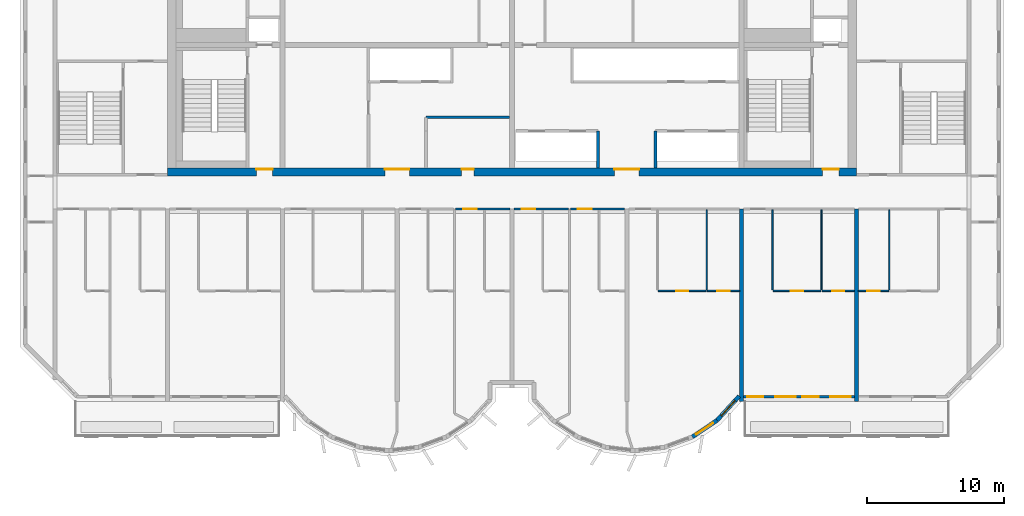
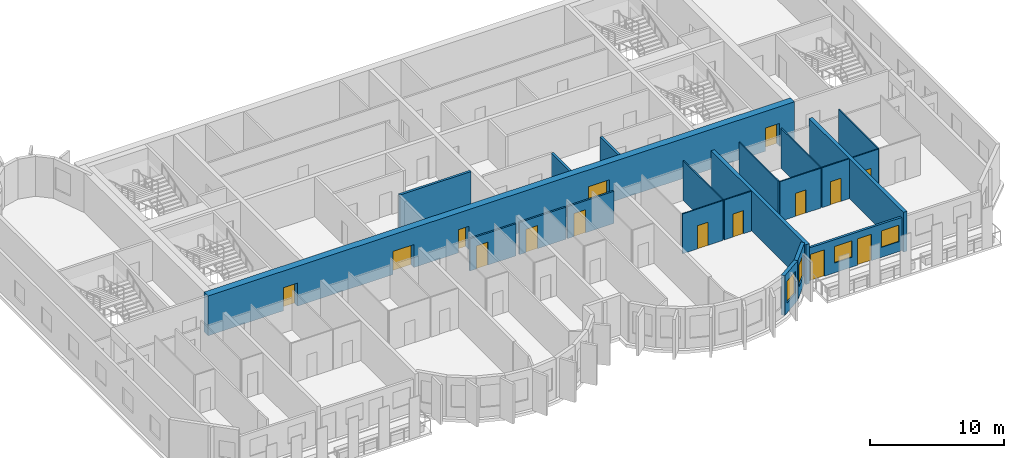
# One storey, part 5 of 11: 21 walls, 15 doors, 4 windows, 19 openings.
"""IFC4 building model written with IfcOpenShell, lengths in metres."""

from ifc_helpers import new_model, si_unit, direction, frame, frame_2d, origin, place, context, subcontext, project, spatial, rectangle, extrude, source, transform, mapped, material, layer, layer_set, type_object, element, fill, save


model = new_model("IFC4")

# Units and contexts
model_context = context("Model", 3, precision=1e-05, world=origin(), true_north=direction((0.0, 1.0)))
body_context = subcontext(model_context, "Body", "Model", "MODEL_VIEW")
ifc_project = project(units=[si_unit("LENGTHUNIT", "METRE"), si_unit("AREAUNIT", "SQUARE_METRE"), si_unit("VOLUMEUNIT", "CUBIC_METRE"), si_unit("PLANEANGLEUNIT", "RADIAN"), si_unit("MASSUNIT", "GRAM", prefix="KILO")], contexts=[model_context])

# Site, building, storey
site_placement = place(None, origin())
site = spatial("IfcSite", under=ifc_project, at=site_placement, CompositionType="ELEMENT")
building_placement = place(site_placement, origin())
building = spatial("IfcBuilding", under=site, at=building_placement, Name="Vanashikhar Sky Hotel", CompositionType="ELEMENT")
storey_placement = place(building_placement, frame((0.0, 0.0, 256.89990234375)))
storey = spatial("IfcBuildingStorey", under=building, at=storey_placement, Name="L62", CompositionType="ELEMENT", Elevation=256.89990234375)

# Wall, openings, doors
ifc_material_1 = material(Name="Concrete M60", Category="concrete")
ifc_layer_1 = layer(ifc_material_1, 0.60009765625)
ifc_layer_set_1 = layer_set([ifc_layer_1], Name="RC core shell wall 600 Concrete M60")
wall_type_1 = type_object("IfcWallType", Name="RC core shell wall 600 Concrete M60", PredefinedType="SHEAR", material=ifc_layer_set_1)
shared_shape_1 = source(origin(), body_context, "Body", "SweptSolid", [
    extrude(rectangle(XDim=50.400146484375, YDim=0.60009765625, at=frame_2d((25.2001953125, 0.0))), origin(), (0.0, 0.0, 1.0), 3.6201171875),
])
wall_1_placement = place(storey_placement, frame((25.199951171875, 22.300048828125, 0.0), z_axis=(0.0, 0.0, 1.0), x_axis=(1.0, 0.0, 0.0)))
wall_1 = element("IfcWall", 1, at=wall_1_placement, inside=storey, type_object=wall_type_1, Name="KW-L62-KS", PredefinedType="SHEAR", context=body_context, shape_type="MappedRepresentation", body=[
    mapped(shared_shape_1, transform((0.0, 0.0, 0.0), scale=1.0)),
])
shared_shape_2 = source(origin(), body_context, "Body", "SweptSolid", [
    extrude(rectangle(XDim=1.800048828125, YDim=2.10009765625, at=frame_2d((0.89990234375, 1.050048828125))), frame((0.0, 0.31005859375, 0.0), z_axis=(0.0, -1.0, 0.0), x_axis=(1.0, 0.0, 0.0)), (0.0, 0.0, 1.0), 0.6201171875),
])
opening_1_placement = place(wall_1_placement, frame((15.89990234375, 0.0, 0.0)))
opening_1 = element("IfcOpeningElement", 2, at=opening_1_placement, cuts=wall_1, Name="Opening DC-3-A", PredefinedType="OPENING", context=body_context, shape_type="MappedRepresentation", body=[
    mapped(shared_shape_2, transform((0.0, 0.0, 0.0), scale=1.0)),
])
shared_shape_3 = source(origin(), body_context, "Body", "SweptSolid", [
    extrude(rectangle(XDim=0.89990234375, YDim=2.10009765625, at=frame_2d((0.449951171875, 1.050048828125))), frame((0.0, 0.31005859375, 0.0), z_axis=(0.0, -1.0, 0.0), x_axis=(1.0, 0.0, 0.0)), (0.0, 0.0, 1.0), 0.6201171875),
])
opening_2_placement = place(wall_1_placement, frame((21.512939453125, 0.0, 0.0)))
opening_2 = element("IfcOpeningElement", 3, at=opening_2_placement, cuts=wall_1, Name="Opening DC-4-A", PredefinedType="OPENING", context=body_context, shape_type="MappedRepresentation", body=[
    mapped(shared_shape_3, transform((0.0, 0.0, 0.0), scale=1.0)),
])
opening_3_placement = place(wall_1_placement, frame((32.699951171875, 0.0, 0.0)))
opening_3 = element("IfcOpeningElement", 4, at=opening_3_placement, cuts=wall_1, Name="Opening DC-3-A", PredefinedType="OPENING", context=body_context, shape_type="MappedRepresentation", body=[
    mapped(shared_shape_2, transform((0.0, 0.0, 0.0), scale=1.0)),
])
shared_shape_4 = source(origin(), body_context, "Body", "SweptSolid", [
    extrude(rectangle(XDim=1.199951171875, YDim=2.10009765625, at=frame_2d((0.60009765625, 1.050048828125))), frame((0.0, 0.31005859375, 0.0), z_axis=(0.0, -1.0, 0.0), x_axis=(1.0, 0.0, 0.0)), (0.0, 0.0, 1.0), 0.6201171875),
])
opening_4_placement = place(wall_1_placement, frame((6.488037109375, 0.0, 0.0)))
opening_4 = element("IfcOpeningElement", 5, at=opening_4_placement, cuts=wall_1, Name="Opening DC-2", PredefinedType="OPENING", context=body_context, shape_type="MappedRepresentation", body=[
    mapped(shared_shape_4, transform((0.0, 0.0, 0.0), scale=1.0)),
])
opening_5_placement = place(wall_1_placement, frame((47.925048828125, 0.0, 0.0)))
opening_5 = element("IfcOpeningElement", 6, at=opening_5_placement, cuts=wall_1, Name="Opening DC-2", PredefinedType="OPENING", context=body_context, shape_type="MappedRepresentation", body=[
    mapped(shared_shape_4, transform((0.0, 0.0, 0.0), scale=1.0)),
])
ifc_material_2 = material(Name="Steel", Category="steel")
door_type_1 = type_object("IfcDoorType", Name="Firefighting lobby door 1200 FD120", OperationType="NOTDEFINED", PredefinedType="DOOR", material=ifc_material_2)
shared_shape_5 = source(origin(), body_context, "Body", "SweptSolid", [
    extrude(rectangle(XDim=1.199951171875, YDim=2.10009765625, at=frame_2d((0.60009765625, 1.050048828125))), frame((0.0, 0.22509765625, 0.0), z_axis=(0.0, -1.0, 0.0), x_axis=(1.0, 0.0, 0.0)), (0.0, 0.0, 1.0), 0.050048828125),
])
door_1_placement = place(opening_4_placement, origin())
door_1 = element("IfcDoor", 7, at=door_1_placement, inside=storey, type_object=door_type_1, Name="Firefighting lobby door 1200 FD120", OperationType="SINGLE_SWING_RIGHT", OverallHeight=2.10009765625, OverallWidth=1.199951171875, PredefinedType="DOOR", context=body_context, shape_type="MappedRepresentation", body=[
    mapped(shared_shape_5, transform((0.0, 0.0, 0.0), scale=1.0)),
])
fill(opening_4, door_1)
door_2_placement = place(opening_5_placement, origin())
door_2 = element("IfcDoor", 8, at=door_2_placement, inside=storey, type_object=door_type_1, Name="Firefighting lobby door 1200 FD120", OperationType="SINGLE_SWING_RIGHT", OverallHeight=2.10009765625, OverallWidth=1.199951171875, PredefinedType="DOOR", context=body_context, shape_type="MappedRepresentation", body=[
    mapped(shared_shape_5, transform((0.0, 0.0, 0.0), scale=1.0)),
])
fill(opening_5, door_2)
door_type_2 = type_object("IfcDoorType", Name="Service door 900 FD60", OperationType="NOTDEFINED", PredefinedType="DOOR", material=ifc_material_2)
shared_shape_6 = source(origin(), body_context, "Body", "SweptSolid", [
    extrude(rectangle(XDim=0.89990234375, YDim=2.10009765625, at=frame_2d((0.449951171875, 1.050048828125))), frame((0.0, 0.22509765625, 0.0), z_axis=(0.0, -1.0, 0.0), x_axis=(1.0, 0.0, 0.0)), (0.0, 0.0, 1.0), 0.050048828125),
])
door_3_placement = place(opening_2_placement, origin())
door_3 = element("IfcDoor", 9, at=door_3_placement, inside=storey, type_object=door_type_2, Name="Service door 900 FD60", OperationType="SINGLE_SWING_RIGHT", OverallHeight=2.10009765625, OverallWidth=0.89990234375, PredefinedType="DOOR", context=body_context, shape_type="MappedRepresentation", body=[
    mapped(shared_shape_6, transform((0.0, 0.0, 0.0), scale=1.0)),
])
fill(opening_2, door_3)
ifc_material_3 = material(Name="Glass", Category="glass")
door_type_3 = type_object("IfcDoorType", Name="Lift lobby entrance door 1800 FD30S", OperationType="NOTDEFINED", PredefinedType="DOOR", material=ifc_material_3)
shared_shape_7 = source(origin(), body_context, "Body", "SweptSolid", [
    extrude(rectangle(XDim=1.800048828125, YDim=2.10009765625, at=frame_2d((0.89990234375, 1.050048828125))), frame((0.0, 0.22509765625, 0.0), z_axis=(0.0, -1.0, 0.0), x_axis=(1.0, 0.0, 0.0)), (0.0, 0.0, 1.0), 0.050048828125),
])
door_4_placement = place(opening_1_placement, origin())
door_4 = element("IfcDoor", 10, at=door_4_placement, inside=storey, type_object=door_type_3, Name="Lift lobby entrance door 1800 FD30S", OperationType="DOUBLE_DOOR_SINGLE_SWING", OverallHeight=2.10009765625, OverallWidth=1.800048828125, PredefinedType="DOOR", context=body_context, shape_type="MappedRepresentation", body=[
    mapped(shared_shape_7, transform((0.0, 0.0, 0.0), scale=1.0)),
])
fill(opening_1, door_4)
door_5_placement = place(opening_3_placement, origin())
door_5 = element("IfcDoor", 11, at=door_5_placement, inside=storey, type_object=door_type_3, Name="Lift lobby entrance door 1800 FD30S", OperationType="DOUBLE_DOOR_SINGLE_SWING", OverallHeight=2.10009765625, OverallWidth=1.800048828125, PredefinedType="DOOR", context=body_context, shape_type="MappedRepresentation", body=[
    mapped(shared_shape_7, transform((0.0, 0.0, 0.0), scale=1.0)),
])
fill(opening_3, door_5)

# Walls
ifc_layer_2 = layer(ifc_material_1, 0.300048828125)
ifc_layer_set_2 = layer_set([ifc_layer_2], Name="RC shear wall 300 Concrete M60")
wall_type_2 = type_object("IfcWallType", Name="RC shear wall 300 Concrete M60", PredefinedType="SHEAR", material=ifc_layer_set_2)
shared_shape_8 = source(origin(), body_context, "Body", "SweptSolid", [
    extrude(rectangle(XDim=14.10009765625, YDim=0.300048828125, at=frame_2d((7.050048828125, 0.0))), origin(), (0.0, 0.0, 1.0), 3.6201171875),
])
for number, where, z_axis, x_axis, name in (
    (12, (67.199951171875, 5.5, 0.0), (0.0, 0.0, 1.0), (0.0, 1.0, 0.0), "CW-L62-XW09-1"),
    (13, (75.60009765625, 5.5, 0.0), (0.0, 0.0, 1.0), (0.0, 1.0, 0.0), "CW-L62-XW10-1"),
):
    element("IfcWall", number, at=place(storey_placement, frame(where, z_axis=z_axis, x_axis=x_axis)), inside=storey, type_object=wall_type_2, Name=name, PredefinedType="SHEAR", context=body_context, shape_type="MappedRepresentation", body=[
        mapped(shared_shape_8, transform((0.0, 0.0, 0.0), scale=1.0)),
    ])

# Wall, openings, windows, doors
ifc_material_4 = material(Name="Concrete M50", Category="concrete")
ifc_layer_3 = layer(ifc_material_4, 0.199951171875)
ifc_layer_set_3 = layer_set([ifc_layer_3], Name="Front window wall 200")
wall_type_3 = type_object("IfcWallType", Name="Front window wall 200", PredefinedType="SOLIDWALL", material=ifc_layer_set_3)
shared_shape_9 = source(origin(), body_context, "Body", "SweptSolid", [
    extrude(rectangle(XDim=8.099853515625, YDim=0.199951171875, at=frame_2d((4.0498046875, 0.0))), origin(), (0.0, 0.0, 1.0), 3.02001953125),
])
wall_2_placement = place(storey_placement, frame((67.35009765625, 5.85009765625, 0.0), z_axis=(0.0, 0.0, 1.0), x_axis=(1.0, 0.0, 0.0)))
wall_2 = element("IfcWall", 14, at=wall_2_placement, inside=storey, type_object=wall_type_3, Name="Front window wall", PredefinedType="SOLIDWALL", context=body_context, shape_type="MappedRepresentation", body=[
    mapped(shared_shape_9, transform((0.0, 0.0, 0.0), scale=1.0)),
])
shared_shape_10 = source(origin(), body_context, "Body", "SweptSolid", [
    extrude(rectangle(XDim=1.199951171875, YDim=2.39990234375, at=frame_2d((0.60009765625, 1.199951171875))), frame((0.0, 0.10986328125, 0.0), z_axis=(0.0, -1.0, 0.0), x_axis=(1.0, 0.0, 0.0)), (0.0, 0.0, 1.0), 0.219970703125),
])
opening_6_placement = place(wall_2_placement, frame((0.25, 0.0, 0.0)))
opening_6 = element("IfcOpeningElement", 15, at=opening_6_placement, cuts=wall_2, Name="Opening BD-03", PredefinedType="OPENING", context=body_context, shape_type="MappedRepresentation", body=[
    mapped(shared_shape_10, transform((0.0, 0.0, 0.0), scale=1.0)),
])
shared_shape_11 = source(origin(), body_context, "Body", "SweptSolid", [
    extrude(rectangle(XDim=1.5, YDim=1.5, at=frame_2d((0.75, 0.75))), frame((0.0, 0.10986328125, 0.0), z_axis=(0.0, -1.0, 0.0), x_axis=(1.0, 0.0, 0.0)), (0.0, 0.0, 1.0), 0.219970703125),
])
opening_7_placement = place(wall_2_placement, frame((2.300048828125, 0.0, 0.89990234375)))
opening_7 = element("IfcOpeningElement", 16, at=opening_7_placement, cuts=wall_2, Name="Opening WN-1", PredefinedType="OPENING", context=body_context, shape_type="MappedRepresentation", body=[
    mapped(shared_shape_11, transform((0.0, 0.0, 0.0), scale=1.0)),
])
opening_8_placement = place(wall_2_placement, frame((4.300048828125, 0.0, 0.0)))
opening_8 = element("IfcOpeningElement", 17, at=opening_8_placement, cuts=wall_2, Name="Opening BD-04", PredefinedType="OPENING", context=body_context, shape_type="MappedRepresentation", body=[
    mapped(shared_shape_10, transform((0.0, 0.0, 0.0), scale=1.0)),
])
opening_9_placement = place(wall_2_placement, frame((6.35009765625, 0.0, 0.89990234375)))
opening_9 = element("IfcOpeningElement", 18, at=opening_9_placement, cuts=wall_2, Name="Opening WN-1", PredefinedType="OPENING", context=body_context, shape_type="MappedRepresentation", body=[
    mapped(shared_shape_11, transform((0.0, 0.0, 0.0), scale=1.0)),
])
window_type_1 = type_object("IfcWindowType", Name="Window 1500 x 1500", PartitioningType="SINGLE_PANEL", PredefinedType="WINDOW", material=ifc_material_3)
shared_shape_12 = source(origin(), body_context, "Body", "SweptSolid", [
    extrude(rectangle(XDim=1.5, YDim=1.5, at=frame_2d((0.75, 0.75))), frame((0.0, 0.030029296875, 0.0), z_axis=(0.0, -1.0, 0.0), x_axis=(1.0, 0.0, 0.0)), (0.0, 0.0, 1.0), 0.06005859375),
])
window_1_placement = place(opening_7_placement, origin())
window_1 = element("IfcWindow", 19, at=window_1_placement, inside=storey, type_object=window_type_1, Name="Window WN-1", OverallHeight=1.5, OverallWidth=1.5, PartitioningType="SINGLE_PANEL", PredefinedType="WINDOW", context=body_context, shape_type="MappedRepresentation", body=[
    mapped(shared_shape_12, transform((0.0, 0.0, 0.0), scale=1.0)),
])
fill(opening_7, window_1)
window_2_placement = place(opening_9_placement, origin())
window_2 = element("IfcWindow", 20, at=window_2_placement, inside=storey, type_object=window_type_1, Name="Window WN-1", OverallHeight=1.5, OverallWidth=1.5, PartitioningType="SINGLE_PANEL", PredefinedType="WINDOW", context=body_context, shape_type="MappedRepresentation", body=[
    mapped(shared_shape_12, transform((0.0, 0.0, 0.0), scale=1.0)),
])
fill(opening_9, window_2)
ifc_material_5 = material(Name="Aluminium", Category="aluminium")
door_type_4 = type_object("IfcDoorType", Name="Balcony sliding door 1200 x 2400", OperationType="NOTDEFINED", PredefinedType="DOOR", material=ifc_material_5)
shared_shape_13 = source(origin(), body_context, "Body", "SweptSolid", [
    extrude(rectangle(XDim=1.199951171875, YDim=2.39990234375, at=frame_2d((0.60009765625, 1.199951171875))), frame((0.0, 0.02490234375, 0.0), z_axis=(0.0, -1.0, 0.0), x_axis=(1.0, 0.0, 0.0)), (0.0, 0.0, 1.0), 0.050048828125),
])
door_6_placement = place(opening_6_placement, origin())
door_6 = element("IfcDoor", 21, at=door_6_placement, inside=storey, type_object=door_type_4, Name="Balcony sliding door", OperationType="SLIDING_TO_LEFT", OverallHeight=2.39990234375, OverallWidth=1.199951171875, PredefinedType="DOOR", context=body_context, shape_type="MappedRepresentation", body=[
    mapped(shared_shape_13, transform((0.0, 0.0, 0.0), scale=1.0)),
])
fill(opening_6, door_6)
door_7_placement = place(opening_8_placement, origin())
door_7 = element("IfcDoor", 22, at=door_7_placement, inside=storey, type_object=door_type_4, Name="Balcony sliding door", OperationType="SLIDING_TO_RIGHT", OverallHeight=2.39990234375, OverallWidth=1.199951171875, PredefinedType="DOOR", context=body_context, shape_type="MappedRepresentation", body=[
    mapped(shared_shape_13, transform((0.0, 0.0, 0.0), scale=1.0)),
])
fill(opening_8, door_7)

# Wall, opening, window
ifc_layer_4 = layer(ifc_material_4, 0.300048828125)
ifc_layer_set_4 = layer_set([ifc_layer_4], Name="Lobe wall 300")
wall_type_4 = type_object("IfcWallType", Name="Lobe wall 300", PredefinedType="SOLIDWALL", material=ifc_layer_set_4)
shared_shape_14 = source(origin(), body_context, "Body", "SweptSolid", [
    extrude(rectangle(XDim=2.398193359375, YDim=0.300048828125, at=frame_2d((1.19921875, 0.0))), origin(), (0.0, 0.0, 1.0), 3.6201171875),
])
wall_3_placement = place(storey_placement, frame((65.404296875, 4.13134765625, 0.0), z_axis=(0.0, 0.0, 1.0), x_axis=(0.675374189419, 0.737475222815, 0.0)))
wall_3 = element("IfcWall", 23, at=wall_3_placement, inside=storey, type_object=wall_type_4, Name="Lobe wall", PredefinedType="SOLIDWALL", context=body_context, shape_type="MappedRepresentation", body=[
    mapped(shared_shape_14, transform((0.0, 0.0, 0.0), scale=1.0)),
])
shared_shape_15 = source(origin(), body_context, "Body", "SweptSolid", [
    extrude(rectangle(XDim=1.5, YDim=2.0, at=frame_2d((0.75, 1.0))), frame((0.0, 0.16015625, 0.0), z_axis=(0.0, -1.0, 0.0), x_axis=(1.0, 0.0, 0.0)), (0.0, 0.0, 1.0), 0.320068359375),
])
opening_10_placement = place(wall_3_placement, frame((0.44921875, 0.0, 0.89990234375)))
opening_10 = element("IfcOpeningElement", 24, at=opening_10_placement, cuts=wall_3, Name="Opening WN-2", PredefinedType="OPENING", context=body_context, shape_type="MappedRepresentation", body=[
    mapped(shared_shape_15, transform((0.0, 0.0, 0.0), scale=1.0)),
])
window_type_2 = type_object("IfcWindowType", Name="Lobe window 1500 x 2000", PartitioningType="SINGLE_PANEL", PredefinedType="WINDOW", material=ifc_material_3)
shared_shape_16 = source(origin(), body_context, "Body", "SweptSolid", [
    extrude(rectangle(XDim=1.5, YDim=2.0, at=frame_2d((0.75, 1.0))), frame((0.0, 0.030029296875, 0.0), z_axis=(0.0, -1.0, 0.0), x_axis=(1.0, 0.0, 0.0)), (0.0, 0.0, 1.0), 0.06005859375),
])
window_3_placement = place(opening_10_placement, origin())
window_3 = element("IfcWindow", 25, at=window_3_placement, inside=storey, type_object=window_type_2, Name="Window WN-2", OverallHeight=2.0, OverallWidth=1.5, PartitioningType="SINGLE_PANEL", PredefinedType="WINDOW", context=body_context, shape_type="MappedRepresentation", body=[
    mapped(shared_shape_16, transform((0.0, 0.0, 0.0), scale=1.0)),
])
fill(opening_10, window_3)

shared_shape_17 = source(origin(), body_context, "Body", "SweptSolid", [
    extrude(rectangle(XDim=2.17578125, YDim=0.300048828125, at=frame_2d((1.087890625, 0.0))), origin(), (0.0, 0.0, 1.0), 3.6201171875),
])
wall_4_placement = place(storey_placement, frame((63.59912109375, 2.91650390625, 0.0), z_axis=(0.0, 0.0, 1.0), x_axis=(0.829625727223, 0.558319937607, 0.0)))
wall_4 = element("IfcWall", 26, at=wall_4_placement, inside=storey, type_object=wall_type_4, Name="Lobe wall", PredefinedType="SOLIDWALL", context=body_context, shape_type="MappedRepresentation", body=[
    mapped(shared_shape_17, transform((0.0, 0.0, 0.0), scale=1.0)),
])
opening_11_placement = place(wall_4_placement, frame((0.337890625, 0.0, 0.89990234375)))
opening_11 = element("IfcOpeningElement", 27, at=opening_11_placement, cuts=wall_4, Name="Opening WN-2", PredefinedType="OPENING", context=body_context, shape_type="MappedRepresentation", body=[
    mapped(shared_shape_15, transform((0.0, 0.0, 0.0), scale=1.0)),
])
window_4_placement = place(opening_11_placement, origin())
window_4 = element("IfcWindow", 28, at=window_4_placement, inside=storey, type_object=window_type_2, Name="Window WN-2", OverallHeight=2.0, OverallWidth=1.5, PartitioningType="SINGLE_PANEL", PredefinedType="WINDOW", context=body_context, shape_type="MappedRepresentation", body=[
    mapped(shared_shape_16, transform((0.0, 0.0, 0.0), scale=1.0)),
])
fill(opening_11, window_4)

# Walls
ifc_material_6 = material(Name="Concrete M40", Category="concrete")
ifc_layer_5 = layer(ifc_material_6, 0.199951171875)
ifc_layer_set_5 = layer_set([ifc_layer_5], Name="Shaft wall 200")
wall_type_5 = type_object("IfcWallType", Name="Shaft wall 200", PredefinedType="SOLIDWALL", material=ifc_layer_set_5)
shared_shape_18 = source(origin(), body_context, "Body", "SweptSolid", [
    extrude(rectangle(XDim=2.699951171875, YDim=0.199951171875, at=frame_2d((1.35009765625, 0.0))), origin(), (0.0, 0.0, 1.0), 3.6201171875),
])
for number, where, z_axis, x_axis, name in (
    (29, (60.89990234375, 22.60009765625, 0.0), (0.0, 0.0, 1.0), (0.0, 1.0, 0.0), "Shaft wall 200"),
    (30, (56.699951171875, 22.60009765625, 0.0), (0.0, 0.0, 1.0), (0.0, 1.0, 0.0), "Shaft wall 200"),
):
    element("IfcWall", number, at=place(storey_placement, frame(where, z_axis=z_axis, x_axis=x_axis)), inside=storey, type_object=wall_type_5, Name=name, PredefinedType="SOLIDWALL", context=body_context, shape_type="MappedRepresentation", body=[
        mapped(shared_shape_18, transform((0.0, 0.0, 0.0), scale=1.0)),
    ])
ifc_material_7 = material(Name="Gypsum board partition")
ifc_layer_6 = layer(ifc_material_7, 0.14990234375)
ifc_layer_set_6 = layer_set([ifc_layer_6], Name="Service partition 150")
wall_type_6 = type_object("IfcWallType", Name="Service partition 150", PredefinedType="PARTITIONING", material=ifc_layer_set_6)
shared_shape_19 = source(origin(), body_context, "Body", "SweptSolid", [
    extrude(rectangle(XDim=6.125, YDim=0.199951171875, at=frame_2d((3.0625, 0.0))), origin(), (0.0, 0.0, 1.0), 3.6201171875),
])
wall_5_placement = place(storey_placement, frame((44.10009765625, 26.300048828125, 0.0), z_axis=(0.0, 0.0, 1.0), x_axis=(1.0, 0.0, 0.0)))
element("IfcWall", 31, at=wall_5_placement, inside=storey, type_object=wall_type_6, Name="Service partition 150", PredefinedType="PARTITIONING", context=body_context, shape_type="MappedRepresentation", body=[
    mapped(shared_shape_19, transform((0.0, 0.0, 0.0), scale=1.0)),
])

# Wall, opening, door
ifc_material_8 = material(Name="Gypsum plasterboard partition")
ifc_layer_7 = layer(ifc_material_8, 0.10009765625)
ifc_layer_set_7 = layer_set([ifc_layer_7], Name="Wet room partition 100")
wall_type_7 = type_object("IfcWallType", Name="Wet room partition 100", PredefinedType="PARTITIONING", material=ifc_layer_set_7)
shared_shape_20 = source(origin(), body_context, "Body", "SweptSolid", [
    extrude(rectangle(XDim=3.5, YDim=0.10009765625, at=frame_2d((1.75, 0.0))), origin(), (0.0, 0.0, 1.0), 3.6201171875),
])
wall_6_placement = place(storey_placement, frame((61.10009765625, 13.60009765625, 0.0), z_axis=(0.0, 0.0, 1.0), x_axis=(1.0, 0.0, 0.0)))
wall_6 = element("IfcWall", 32, at=wall_6_placement, inside=storey, type_object=wall_type_7, Name="W-L62-PW034", PredefinedType="PARTITIONING", context=body_context, shape_type="MappedRepresentation", body=[
    mapped(shared_shape_20, transform((0.0, 0.0, 0.0), scale=1.0)),
])
shared_shape_21 = source(origin(), body_context, "Body", "SweptSolid", [
    extrude(rectangle(XDim=0.89990234375, YDim=2.10009765625, at=frame_2d((0.449951171875, 1.050048828125))), frame((0.0, 0.06005859375, 0.0), z_axis=(0.0, -1.0, 0.0), x_axis=(1.0, 0.0, 0.0)), (0.0, 0.0, 1.0), 0.1201171875),
])
opening_12_placement = place(wall_6_placement, frame((1.300048828125, 0.0, 0.0)))
opening_12 = element("IfcOpeningElement", 33, at=opening_12_placement, cuts=wall_6, Name="Opening D-02", PredefinedType="OPENING", context=body_context, shape_type="MappedRepresentation", body=[
    mapped(shared_shape_21, transform((0.0, 0.0, 0.0), scale=1.0)),
])
ifc_material_9 = material(Name="Timber door", Category="wood")
door_type_5 = type_object("IfcDoorType", Name="Internal door 900", OperationType="NOTDEFINED", PredefinedType="DOOR", material=ifc_material_9)
shared_shape_22 = source(origin(), body_context, "Body", "SweptSolid", [
    extrude(rectangle(XDim=0.89990234375, YDim=2.10009765625, at=frame_2d((0.449951171875, 1.050048828125))), frame((0.0, 0.02490234375, 0.0), z_axis=(0.0, -1.0, 0.0), x_axis=(1.0, 0.0, 0.0)), (0.0, 0.0, 1.0), 0.050048828125),
])
door_8_placement = place(opening_12_placement, origin())
door_8 = element("IfcDoor", 34, at=door_8_placement, inside=storey, type_object=door_type_5, Name="D-L62-019", OperationType="SINGLE_SWING_LEFT", OverallHeight=2.10009765625, OverallWidth=0.89990234375, PredefinedType="DOOR", context=body_context, shape_type="MappedRepresentation", body=[
    mapped(shared_shape_22, transform((0.0, 0.0, 0.0), scale=1.0)),
])
fill(opening_12, door_8)

wall_7_placement = place(storey_placement, frame((69.5, 13.60009765625, 0.0), z_axis=(0.0, 0.0, 1.0), x_axis=(1.0, 0.0, 0.0)))
wall_7 = element("IfcWall", 35, at=wall_7_placement, inside=storey, type_object=wall_type_7, Name="W-L62-PW039", PredefinedType="PARTITIONING", context=body_context, shape_type="MappedRepresentation", body=[
    mapped(shared_shape_20, transform((0.0, 0.0, 0.0), scale=1.0)),
])
opening_13_placement = place(wall_7_placement, frame((1.300048828125, 0.0, 0.0)))
opening_13 = element("IfcOpeningElement", 36, at=opening_13_placement, cuts=wall_7, Name="Opening D-02", PredefinedType="OPENING", context=body_context, shape_type="MappedRepresentation", body=[
    mapped(shared_shape_21, transform((0.0, 0.0, 0.0), scale=1.0)),
])
door_9_placement = place(opening_13_placement, origin())
door_9 = element("IfcDoor", 37, at=door_9_placement, inside=storey, type_object=door_type_5, Name="D-L62-022", OperationType="SINGLE_SWING_LEFT", OverallHeight=2.10009765625, OverallWidth=0.89990234375, PredefinedType="DOOR", context=body_context, shape_type="MappedRepresentation", body=[
    mapped(shared_shape_22, transform((0.0, 0.0, 0.0), scale=1.0)),
])
fill(opening_13, door_9)

ifc_layer_8 = layer(ifc_material_8, 0.14990234375)
ifc_layer_set_8 = layer_set([ifc_layer_8], Name="Corridor and demising partition 150")
wall_type_8 = type_object("IfcWallType", Name="Corridor and demising partition 150", PredefinedType="PARTITIONING", material=ifc_layer_set_8)
shared_shape_23 = source(origin(), body_context, "Body", "SweptSolid", [
    extrude(rectangle(XDim=3.97509765625, YDim=0.14990234375, at=frame_2d((1.987548828125, 0.0))), origin(), (0.0, 0.0, 1.0), 2.920166015625),
])
wall_8_placement = place(storey_placement, frame((46.27490234375, 19.60009765625, 0.0), z_axis=(0.0, 0.0, 1.0), x_axis=(1.0, 0.0, 0.0)))
wall_8 = element("IfcWall", 38, at=wall_8_placement, inside=storey, type_object=wall_type_8, Name="W-L62-PW023", PredefinedType="PARTITIONING", context=body_context, shape_type="MappedRepresentation", body=[
    mapped(shared_shape_23, transform((0.0, 0.0, 0.0), scale=1.0)),
])
shared_shape_24 = source(origin(), body_context, "Body", "SweptSolid", [
    extrude(rectangle(XDim=1.0, YDim=2.10009765625, at=frame_2d((0.5, 1.050048828125))), frame((0.0, 0.0849609375, 0.0), z_axis=(0.0, -1.0, 0.0), x_axis=(1.0, 0.0, 0.0)), (0.0, 0.0, 1.0), 0.169921875),
])
opening_14_placement = place(wall_8_placement, frame((0.550048828125, 0.0, 0.0)))
opening_14 = element("IfcOpeningElement", 39, at=opening_14_placement, cuts=wall_8, Name="Opening D-01", PredefinedType="OPENING", context=body_context, shape_type="MappedRepresentation", body=[
    mapped(shared_shape_24, transform((0.0, 0.0, 0.0), scale=1.0)),
])
ifc_material_10 = material(Name="Timber fire door", Category="wood")
door_type_6 = type_object("IfcDoorType", Name="Guest entry door 1000 FD30S", OperationType="NOTDEFINED", PredefinedType="DOOR", material=ifc_material_10)
shared_shape_25 = source(origin(), body_context, "Body", "SweptSolid", [
    extrude(rectangle(XDim=1.0, YDim=2.10009765625, at=frame_2d((0.5, 1.050048828125))), frame((0.0, 0.02490234375, 0.0), z_axis=(0.0, -1.0, 0.0), x_axis=(1.0, 0.0, 0.0)), (0.0, 0.0, 1.0), 0.050048828125),
])
door_10_placement = place(opening_14_placement, origin())
door_10 = element("IfcDoor", 40, at=door_10_placement, inside=storey, type_object=door_type_6, Name="D-L62-014", OperationType="SINGLE_SWING_LEFT", OverallHeight=2.10009765625, OverallWidth=1.0, PredefinedType="DOOR", context=body_context, shape_type="MappedRepresentation", body=[
    mapped(shared_shape_25, transform((0.0, 0.0, 0.0), scale=1.0)),
])
fill(opening_14, door_10)

shared_shape_26 = source(origin(), body_context, "Body", "SweptSolid", [
    extrude(rectangle(XDim=3.974853515625, YDim=0.14990234375, at=frame_2d((1.9873046875, 0.0))), origin(), (0.0, 0.0, 1.0), 2.920166015625),
])
wall_9_placement = place(storey_placement, frame((50.550048828125, 19.60009765625, 0.0), z_axis=(0.0, 0.0, 1.0), x_axis=(1.0, 0.0, 0.0)))
wall_9 = element("IfcWall", 41, at=wall_9_placement, inside=storey, type_object=wall_type_8, Name="W-L62-PW027", PredefinedType="PARTITIONING", context=body_context, shape_type="MappedRepresentation", body=[
    mapped(shared_shape_26, transform((0.0, 0.0, 0.0), scale=1.0)),
])
opening_15_placement = place(wall_9_placement, frame((0.550048828125, 0.0, 0.0)))
opening_15 = element("IfcOpeningElement", 42, at=opening_15_placement, cuts=wall_9, Name="Opening D-01", PredefinedType="OPENING", context=body_context, shape_type="MappedRepresentation", body=[
    mapped(shared_shape_24, transform((0.0, 0.0, 0.0), scale=1.0)),
])
door_11_placement = place(opening_15_placement, origin())
door_11 = element("IfcDoor", 43, at=door_11_placement, inside=storey, type_object=door_type_6, Name="D-L62-016", OperationType="SINGLE_SWING_LEFT", OverallHeight=2.10009765625, OverallWidth=1.0, PredefinedType="DOOR", context=body_context, shape_type="MappedRepresentation", body=[
    mapped(shared_shape_25, transform((0.0, 0.0, 0.0), scale=1.0)),
])
fill(opening_15, door_11)

wall_10_placement = place(storey_placement, frame((54.675048828125, 19.60009765625, 0.0), z_axis=(0.0, 0.0, 1.0), x_axis=(1.0, 0.0, 0.0)))
wall_10 = element("IfcWall", 44, at=wall_10_placement, inside=storey, type_object=wall_type_8, Name="W-L62-PW030", PredefinedType="PARTITIONING", context=body_context, shape_type="MappedRepresentation", body=[
    mapped(shared_shape_26, transform((0.0, 0.0, 0.0), scale=1.0)),
])
opening_16_placement = place(wall_10_placement, frame((0.550048828125, 0.0, 0.0)))
opening_16 = element("IfcOpeningElement", 45, at=opening_16_placement, cuts=wall_10, Name="Opening D-01", PredefinedType="OPENING", context=body_context, shape_type="MappedRepresentation", body=[
    mapped(shared_shape_24, transform((0.0, 0.0, 0.0), scale=1.0)),
])
door_12_placement = place(opening_16_placement, origin())
door_12 = element("IfcDoor", 46, at=door_12_placement, inside=storey, type_object=door_type_6, Name="D-L62-018", OperationType="SINGLE_SWING_LEFT", OverallHeight=2.10009765625, OverallWidth=1.0, PredefinedType="DOOR", context=body_context, shape_type="MappedRepresentation", body=[
    mapped(shared_shape_25, transform((0.0, 0.0, 0.0), scale=1.0)),
])
fill(opening_16, door_12)

# Walls
shared_shape_27 = source(origin(), body_context, "Body", "SweptSolid", [
    extrude(rectangle(XDim=5.849853515625, YDim=0.10009765625, at=frame_2d((2.9248046875, 0.0))), origin(), (0.0, 0.0, 1.0), 3.6201171875),
])
for number, where, z_axis, x_axis, name in (
    (47, (64.64990234375, 13.675048828125, 0.0), (0.0, 0.0, 1.0), (0.0, 1.0, 0.0), "W-L62-PW033"),
    (48, (69.449951171875, 13.675048828125, 0.0), (0.0, 0.0, 1.0), (0.0, 1.0, 0.0), "W-L62-PW037"),
    (49, (73.050048828125, 13.675048828125, 0.0), (0.0, 0.0, 1.0), (0.0, 1.0, 0.0), "W-L62-PW038"),
    (50, (78.0, 13.675048828125, 0.0), (0.0, 0.0, 1.0), (0.0, 1.0, 0.0), "W-L62-PW043"),
):
    element("IfcWall", number, at=place(storey_placement, frame(where, z_axis=z_axis, x_axis=x_axis)), inside=storey, type_object=wall_type_7, Name=name, PredefinedType="PARTITIONING", context=body_context, shape_type="MappedRepresentation", body=[
        mapped(shared_shape_27, transform((0.0, 0.0, 0.0), scale=1.0)),
    ])

# Wall, opening, door
shared_shape_28 = source(origin(), body_context, "Body", "SweptSolid", [
    extrude(rectangle(XDim=2.349853515625, YDim=0.10009765625, at=frame_2d((1.1748046875, 0.0))), origin(), (0.0, 0.0, 1.0), 3.6201171875),
])
wall_11_placement = place(storey_placement, frame((73.10009765625, 13.60009765625, 0.0), z_axis=(0.0, 0.0, 1.0), x_axis=(1.0, 0.0, 0.0)))
wall_11 = element("IfcWall", 51, at=wall_11_placement, inside=storey, type_object=wall_type_7, Name="W-L62-PW040", PredefinedType="PARTITIONING", context=body_context, shape_type="MappedRepresentation", body=[
    mapped(shared_shape_28, transform((0.0, 0.0, 0.0), scale=1.0)),
])
opening_17_placement = place(wall_11_placement, frame((0.72509765625, 0.0, 0.0)))
opening_17 = element("IfcOpeningElement", 52, at=opening_17_placement, cuts=wall_11, Name="Opening D-02", PredefinedType="OPENING", context=body_context, shape_type="MappedRepresentation", body=[
    mapped(shared_shape_21, transform((0.0, 0.0, 0.0), scale=1.0)),
])
door_13_placement = place(opening_17_placement, origin())
door_13 = element("IfcDoor", 53, at=door_13_placement, inside=storey, type_object=door_type_5, Name="D-L62-023", OperationType="SINGLE_SWING_LEFT", OverallHeight=2.10009765625, OverallWidth=0.89990234375, PredefinedType="DOOR", context=body_context, shape_type="MappedRepresentation", body=[
    mapped(shared_shape_22, transform((0.0, 0.0, 0.0), scale=1.0)),
])
fill(opening_17, door_13)

shared_shape_29 = source(origin(), body_context, "Body", "SweptSolid", [
    extrude(rectangle(XDim=2.35009765625, YDim=0.10009765625, at=frame_2d((1.175048828125, 0.0))), origin(), (0.0, 0.0, 1.0), 3.6201171875),
])
wall_12_placement = place(storey_placement, frame((64.699951171875, 13.60009765625, 0.0), z_axis=(0.0, 0.0, 1.0), x_axis=(1.0, 0.0, 0.0)))
wall_12 = element("IfcWall", 54, at=wall_12_placement, inside=storey, type_object=wall_type_7, Name="W-L62-PW035", PredefinedType="PARTITIONING", context=body_context, shape_type="MappedRepresentation", body=[
    mapped(shared_shape_29, transform((0.0, 0.0, 0.0), scale=1.0)),
])
opening_18_placement = place(wall_12_placement, frame((0.72509765625, 0.0, 0.0)))
opening_18 = element("IfcOpeningElement", 55, at=opening_18_placement, cuts=wall_12, Name="Opening D-02", PredefinedType="OPENING", context=body_context, shape_type="MappedRepresentation", body=[
    mapped(shared_shape_21, transform((0.0, 0.0, 0.0), scale=1.0)),
])
door_14_placement = place(opening_18_placement, origin())
door_14 = element("IfcDoor", 56, at=door_14_placement, inside=storey, type_object=door_type_5, Name="D-L62-020", OperationType="SINGLE_SWING_LEFT", OverallHeight=2.10009765625, OverallWidth=0.89990234375, PredefinedType="DOOR", context=body_context, shape_type="MappedRepresentation", body=[
    mapped(shared_shape_22, transform((0.0, 0.0, 0.0), scale=1.0)),
])
fill(opening_18, door_14)

shared_shape_30 = source(origin(), body_context, "Body", "SweptSolid", [
    extrude(rectangle(XDim=2.199951171875, YDim=0.10009765625, at=frame_2d((1.10009765625, 0.0))), origin(), (0.0, 0.0, 1.0), 3.6201171875),
])
wall_13_placement = place(storey_placement, frame((75.75, 13.60009765625, 0.0), z_axis=(0.0, 0.0, 1.0), x_axis=(1.0, 0.0, 0.0)))
wall_13 = element("IfcWall", 57, at=wall_13_placement, inside=storey, type_object=wall_type_7, Name="W-L62-PW045", PredefinedType="PARTITIONING", context=body_context, shape_type="MappedRepresentation", body=[
    mapped(shared_shape_30, transform((0.0, 0.0, 0.0), scale=1.0)),
])
opening_19_placement = place(wall_13_placement, frame((0.64990234375, 0.0, 0.0)))
opening_19 = element("IfcOpeningElement", 58, at=opening_19_placement, cuts=wall_13, Name="Opening D-02", PredefinedType="OPENING", context=body_context, shape_type="MappedRepresentation", body=[
    mapped(shared_shape_21, transform((0.0, 0.0, 0.0), scale=1.0)),
])
door_15_placement = place(opening_19_placement, origin())
door_15 = element("IfcDoor", 59, at=door_15_placement, inside=storey, type_object=door_type_5, Name="D-L62-026", OperationType="SINGLE_SWING_RIGHT", OverallHeight=2.10009765625, OverallWidth=0.89990234375, PredefinedType="DOOR", context=body_context, shape_type="MappedRepresentation", body=[
    mapped(shared_shape_22, transform((0.0, 0.0, 0.0), scale=1.0)),
])
fill(opening_19, door_15)

save(model, "model.ifc")
